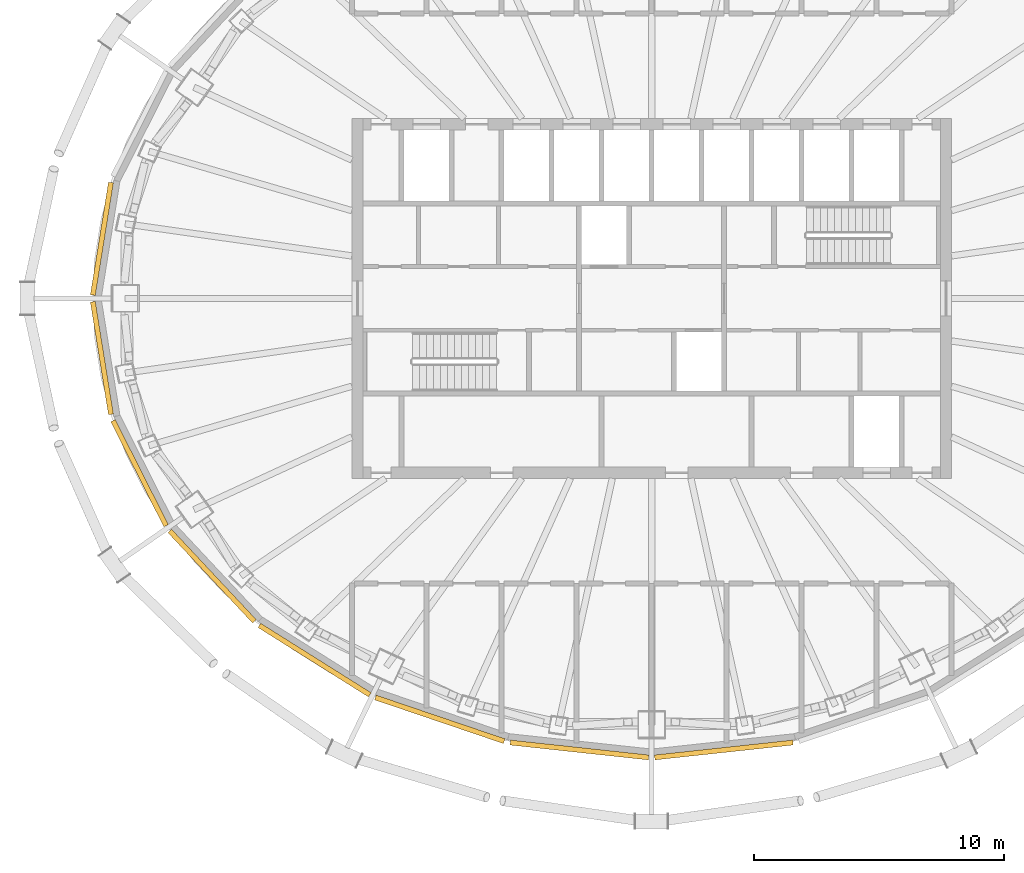
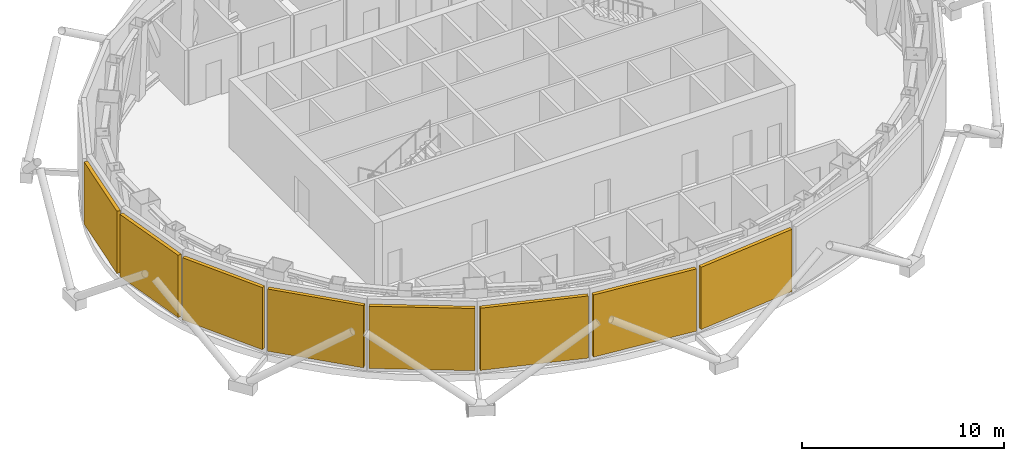
# One storey, part 12 of 15: 8 shading devices.
"""IFC4 building model written with IfcOpenShell, lengths in metres."""

from ifc_helpers import new_model, si_unit, direction, frame, origin, origin_2d, place, context, subcontext, project, spatial, rectangle, extrude, material, layer, layer_set, type_object, element, save


model = new_model("IFC4")

# Units and contexts
model_context = context("Model", 3, precision=1e-05, world=origin(), true_north=direction((0.0, 1.0)))
body_context = subcontext(model_context, "Body", "Model", "MODEL_VIEW")
ifc_project = project(units=[si_unit("LENGTHUNIT", "METRE"), si_unit("AREAUNIT", "SQUARE_METRE"), si_unit("VOLUMEUNIT", "CUBIC_METRE"), si_unit("PLANEANGLEUNIT", "RADIAN"), si_unit("MASSUNIT", "GRAM", prefix="KILO")], contexts=[model_context])

# Site, building, storey
site_placement = place(None, origin())
site = spatial("IfcSite", under=ifc_project, at=site_placement, CompositionType="ELEMENT")
building_placement = place(site_placement, origin())
building = spatial("IfcBuilding", under=site, at=building_placement, Name="Siaravel Broadcast Tower", CompositionType="ELEMENT")
storey_placement = place(building_placement, frame((0.0, 0.0, 212.60009765625)))
storey = spatial("IfcBuildingStorey", under=building, at=storey_placement, Name="L51", CompositionType="ELEMENT", Elevation=212.60009765625)

# Shading devices
ifc_material = material(Name="Bronze anodised aluminium", Category="aluminium")
ifc_layer = layer(ifc_material, 0.199951171875)
ifc_layer_set = layer_set([ifc_layer], Name="Bronze anodised aluminium")
shading_device_type = type_object("IfcShadingDeviceType", Name="Plant louvre bank", PredefinedType="USERDEFINED", material=ifc_layer_set)
for number, where, z_axis, x_axis, name in (
    (1, (-21.99853515625, 2.386474609375, 0.2998046875), (0.0, 0.0, 1.0), (-0.158685394, -0.987329198, 0.0), "L51 plant louvre bank 12"),
    (2, (-21.99853515625, -2.386474609375, 0.2998046875), (0.0, 0.0, 1.0), (0.158685394, -0.987329198, 0.0), "L51 plant louvre bank 13"),
):
    element("IfcShadingDevice", number, at=place(storey_placement, frame(where, z_axis=z_axis, x_axis=x_axis)), inside=storey, type_object=shading_device_type, Name=name, ObjectType="LOUVRE", PredefinedType="USERDEFINED", context=body_context, shape_type="SweptSolid", body=[
        extrude(rectangle(XDim=4.5625, YDim=0.199951171875, at=origin_2d()), origin(), (0.0, 0.0, 1.0), 3.75),
    ])
shading_device_1_placement = place(storey_placement, frame((-20.491943359375, -6.992919921875, 0.2998046875), z_axis=(0.0, 0.0, 1.0), x_axis=(0.451260732, -0.892392151, 0.0)))
element("IfcShadingDevice", 3, at=shading_device_1_placement, inside=storey, type_object=shading_device_type, Name="L51 plant louvre bank 14", ObjectType="LOUVRE", PredefinedType="USERDEFINED", context=body_context, shape_type="SweptSolid", body=[
    extrude(rectangle(XDim=4.70849609375, YDim=0.199951171875, at=origin_2d()), origin(), (0.0, 0.0, 1.0), 3.75),
])
shading_device_2_placement = place(storey_placement, frame((-17.5869140625, -11.114990234375, 0.2998046875), z_axis=(0.0, 0.0, 1.0), x_axis=(0.683655992, -0.729804415, 0.0)))
element("IfcShadingDevice", 4, at=shading_device_2_placement, inside=storey, type_object=shading_device_type, Name="L51 plant louvre bank 15", ObjectType="LOUVRE", PredefinedType="USERDEFINED", context=body_context, shape_type="SweptSolid", body=[
    extrude(rectangle(XDim=4.9521484375, YDim=0.199951171875, at=origin_2d()), origin(), (0.0, 0.0, 1.0), 3.75),
])
shading_device_3_placement = place(storey_placement, frame((-13.487548828125, -14.473388671875, 0.2998046875), z_axis=(0.0, 0.0, 1.0), x_axis=(0.846650436, -0.532149452, 0.0)))
element("IfcShadingDevice", 5, at=shading_device_3_placement, inside=storey, type_object=shading_device_type, Name="L51 plant louvre bank 16", ObjectType="LOUVRE", PredefinedType="USERDEFINED", context=body_context, shape_type="SweptSolid", body=[
    extrude(rectangle(XDim=5.2197265625, YDim=0.199951171875, at=origin_2d()), origin(), (0.0, 0.0, 1.0), 3.75),
])
shading_device_4_placement = place(storey_placement, frame((-8.47509765625, -16.843994140625, 0.2998046875), z_axis=(0.0, 0.0, 1.0), x_axis=(0.946977245, -0.321300635, 0.0)))
element("IfcShadingDevice", 6, at=shading_device_4_placement, inside=storey, type_object=shading_device_type, Name="L51 plant louvre bank 17", ObjectType="LOUVRE", PredefinedType="USERDEFINED", context=body_context, shape_type="SweptSolid", body=[
    extrude(rectangle(XDim=5.44140625, YDim=0.199951171875, at=origin_2d()), origin(), (0.0, 0.0, 1.0), 3.75),
])
for number, where, z_axis, x_axis, name in (
    (7, (-2.889892578125, -18.070068359375, 0.2998046875), (0.0, 0.0, 1.0), (0.994235667, -0.107216783, 0.0), "L51 plant louvre bank 18"),
    (8, (2.889892578125, -18.070068359375, 0.2998046875), (0.0, 0.0, 1.0), (0.994235667, 0.107216783, 0.0), "L51 plant louvre bank 19"),
):
    element("IfcShadingDevice", number, at=place(storey_placement, frame(where, z_axis=z_axis, x_axis=x_axis)), inside=storey, type_object=shading_device_type, Name=name, ObjectType="LOUVRE", PredefinedType="USERDEFINED", context=body_context, shape_type="SweptSolid", body=[
        extrude(rectangle(XDim=5.5654296875, YDim=0.199951171875, at=origin_2d()), origin(), (0.0, 0.0, 1.0), 3.75),
    ])

save(model, "model.ifc")
